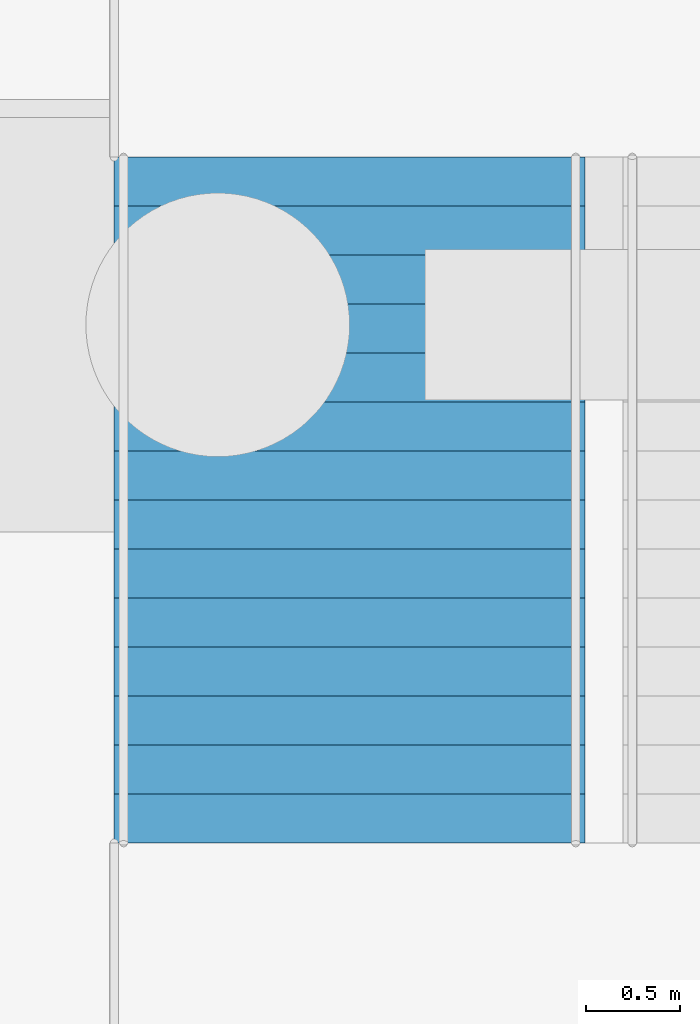
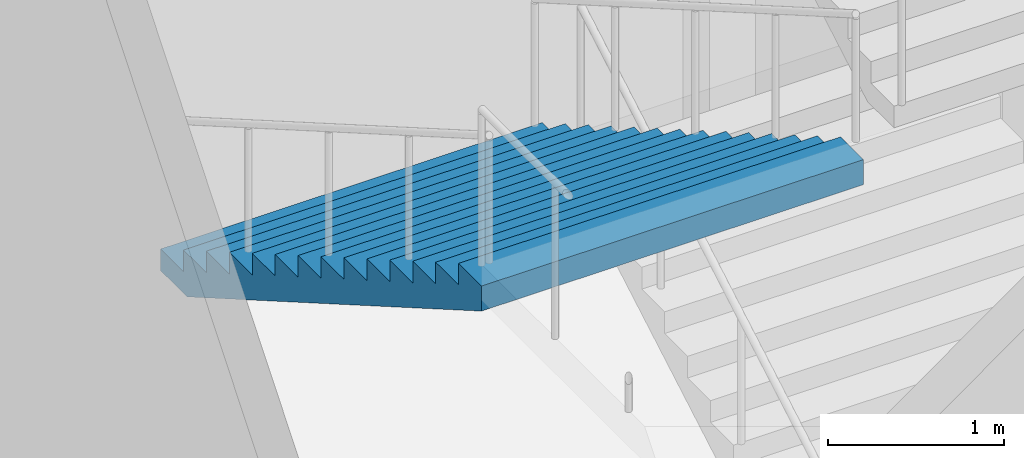
# One storey, part 71 of 113: 1 stair flight, 1 element without a shape of its own.
"""IFC4 building model written with IfcOpenShell, lengths in metres."""

from ifc_helpers import new_model, si_unit, direction, frame, origin, place, context, subcontext, project, spatial, triangles, material, type_object, element, aggregate, save


model = new_model("IFC4")

# Units and contexts
model_context = context("Model", 3, precision=1e-05, world=origin(), true_north=direction((0.0, 1.0)))
body_context = subcontext(model_context, "Body", "Model", "MODEL_VIEW")
ifc_project = project(units=[si_unit("LENGTHUNIT", "METRE"), si_unit("AREAUNIT", "SQUARE_METRE"), si_unit("VOLUMEUNIT", "CUBIC_METRE"), si_unit("PLANEANGLEUNIT", "RADIAN"), si_unit("MASSUNIT", "GRAM", prefix="KILO")], contexts=[model_context])

# Site, building, storey
site_placement = place(None, origin())
site = spatial("IfcSite", under=ifc_project, at=site_placement, CompositionType="ELEMENT")
building_placement = place(site_placement, origin())
building = spatial("IfcBuilding", under=site, at=building_placement, Name="Hakoniwa Tower and Hamabe Station Hall", CompositionType="ELEMENT")
storey_placement = place(building_placement, origin())
storey = spatial("IfcBuildingStorey", under=building, at=storey_placement, Name="L01", CompositionType="ELEMENT", Elevation=0.0)

# Stair, stair flight
ifc_material_1 = material(Name="Concrete C40", Category="concrete")
stair_type = type_object("IfcStairType", Name="STAIR 2500 15X150", PredefinedType="HALF_TURN_STAIR", material=ifc_material_1)
stair_placement = place(storey_placement, origin())
stair = element("IfcStair", 1, at=stair_placement, inside=storey, type_object=stair_type, Name="Escape stair PS3", PredefinedType="HALF_TURN_STAIR")
ifc_material_2 = material(Name="Concrete C40", Category="concrete")
stair_flight_type = type_object("IfcStairFlightType", Name="STAIR FLIGHT 2500", PredefinedType="STRAIGHT", material=ifc_material_2)
stair_flight_placement = place(storey_placement, frame((45.10009765625, -18.7099609375, 2.25), z_axis=(0.0, 0.0, 1.0), x_axis=(0.0, -1.0, 0.0)))
stair_flight = element("IfcStairFlight", 2, at=stair_flight_placement, type_object=stair_flight_type, Name="PS3 flight 2", NumberOfRisers=15, NumberOfTreads=14, PredefinedType="STRAIGHT", RiserHeight=0.15, TreadLength=0.26, context=body_context, shape_type="Tessellation", body=[
    triangles([(0.0, 1.25, 0.0), (0.260009765625, 1.25, 0.0), (0.300048828125, 1.25, 0.0), (0.52001953125, 1.25, 0.126953125), (0.780029296875, 1.25, 0.27685546875), (1.0400390625, 1.25, 0.427001953125), (1.300048828125, 1.25, 0.576904296875), (1.56005859375, 1.25, 0.72705078125), (1.820068359375, 1.25, 0.876953125), (2.080078125, 1.25, 1.02685546875), (2.340087890625, 1.25, 1.177001953125), (2.60009765625, 1.25, 1.326904296875), (2.860107421875, 1.25, 1.47705078125), (3.1201171875, 1.25, 1.626953125), (3.3798828125, 1.25, 1.77685546875), (3.639892578125, 1.25, 1.927001953125), (3.639892578125, 1.25, 2.10009765625), (3.3798828125, 1.25, 2.10009765625), (3.3798828125, 1.25, 1.949951171875), (3.1201171875, 1.25, 1.949951171875), (3.1201171875, 1.25, 1.800048828125), (2.860107421875, 1.25, 1.800048828125), (2.860107421875, 1.25, 1.64990234375), (2.60009765625, 1.25, 1.64990234375), (2.60009765625, 1.25, 1.5), (2.340087890625, 1.25, 1.5), (2.340087890625, 1.25, 1.35009765625), (2.080078125, 1.25, 1.35009765625), (2.080078125, 1.25, 1.199951171875), (1.820068359375, 1.25, 1.199951171875), (1.820068359375, 1.25, 1.050048828125), (1.56005859375, 1.25, 1.050048828125), (1.56005859375, 1.25, 0.89990234375), (1.300048828125, 1.25, 0.89990234375), (1.300048828125, 1.25, 0.75), (1.0400390625, 1.25, 0.75), (1.0400390625, 1.25, 0.60009765625), (0.780029296875, 1.25, 0.60009765625), (0.780029296875, 1.25, 0.449951171875), (0.52001953125, 1.25, 0.449951171875), (0.52001953125, 1.25, 0.300048828125), (0.300048828125, 1.25, 0.300048828125), (0.260009765625, 1.25, 0.300048828125), (0.260009765625, 1.25, 0.14990234375), (0.0, 1.25, 0.14990234375), (0.0, 0.06005859375, 0.0), (0.260009765625, 0.06005859375, 0.0), (0.300048828125, 0.06005859375, 0.0), (0.52001953125, 0.06005859375, 0.126953125), (0.780029296875, 0.06005859375, 0.27685546875), (1.0400390625, 0.06005859375, 0.427001953125), (1.300048828125, 0.06005859375, 0.576904296875), (1.56005859375, 0.06005859375, 0.72705078125), (1.820068359375, 0.06005859375, 0.876953125), (2.080078125, 0.06005859375, 1.02685546875), (2.340087890625, 0.06005859375, 1.177001953125), (2.60009765625, 0.06005859375, 1.326904296875), (2.860107421875, 0.06005859375, 1.47705078125), (3.1201171875, 0.06005859375, 1.626953125), (3.3798828125, 0.06005859375, 1.77685546875), (3.639892578125, 0.06005859375, 1.927001953125), (3.639892578125, 0.06005859375, 2.10009765625), (3.3798828125, 0.06005859375, 2.10009765625), (3.3798828125, 0.06005859375, 1.949951171875), (3.1201171875, 0.06005859375, 1.949951171875), (3.1201171875, 0.06005859375, 1.800048828125), (2.860107421875, 0.06005859375, 1.800048828125), (2.860107421875, 0.06005859375, 1.64990234375), (2.60009765625, 0.06005859375, 1.64990234375), (2.60009765625, 0.06005859375, 1.5), (2.340087890625, 0.06005859375, 1.5), (2.340087890625, 0.06005859375, 1.35009765625), (2.080078125, 0.06005859375, 1.35009765625), (2.080078125, 0.06005859375, 1.199951171875), (1.820068359375, 0.06005859375, 1.199951171875), (1.820068359375, 0.06005859375, 1.050048828125), (1.56005859375, 0.06005859375, 1.050048828125), (1.56005859375, 0.06005859375, 0.89990234375), (1.300048828125, 0.06005859375, 0.89990234375), (1.300048828125, 0.06005859375, 0.75), (1.0400390625, 0.06005859375, 0.75), (1.0400390625, 0.06005859375, 0.60009765625), (0.780029296875, 0.06005859375, 0.60009765625), (0.780029296875, 0.06005859375, 0.449951171875), (0.52001953125, 0.06005859375, 0.449951171875), (0.52001953125, 0.06005859375, 0.300048828125), (0.300048828125, 0.06005859375, 0.300048828125), (0.260009765625, 0.06005859375, 0.300048828125), (0.260009765625, 0.06005859375, 0.14990234375), (0.0, 0.06005859375, 0.14990234375), (0.0, 0.02001953125, 0.0), (0.260009765625, 0.02001953125, 0.0), (0.300048828125, 0.02001953125, 0.0), (0.52001953125, 0.02001953125, 0.126953125), (0.780029296875, 0.02001953125, 0.27685546875), (1.0400390625, 0.02001953125, 0.427001953125), (1.300048828125, 0.02001953125, 0.576904296875), (1.56005859375, 0.02001953125, 0.72705078125), (1.820068359375, 0.02001953125, 0.876953125), (2.080078125, 0.02001953125, 1.02685546875), (2.340087890625, 0.02001953125, 1.177001953125), (2.60009765625, 0.02001953125, 1.326904296875), (2.860107421875, 0.02001953125, 1.47705078125), (3.1201171875, 0.02001953125, 1.626953125), (3.3798828125, 0.02001953125, 1.77685546875), (3.639892578125, 0.02001953125, 1.927001953125), (3.639892578125, 0.02001953125, 2.10009765625), (3.3798828125, 0.02001953125, 2.10009765625), (3.3798828125, 0.02001953125, 1.949951171875), (3.1201171875, 0.02001953125, 1.949951171875), (3.1201171875, 0.02001953125, 1.800048828125), (2.860107421875, 0.02001953125, 1.800048828125), (2.860107421875, 0.02001953125, 1.64990234375), (2.60009765625, 0.02001953125, 1.64990234375), (2.60009765625, 0.02001953125, 1.5), (2.340087890625, 0.02001953125, 1.5), (2.340087890625, 0.02001953125, 1.35009765625), (2.080078125, 0.02001953125, 1.35009765625), (2.080078125, 0.02001953125, 1.199951171875), (1.820068359375, 0.02001953125, 1.199951171875), (1.820068359375, 0.02001953125, 1.050048828125), (1.56005859375, 0.02001953125, 1.050048828125), (1.56005859375, 0.02001953125, 0.89990234375), (1.300048828125, 0.02001953125, 0.89990234375), (1.300048828125, 0.02001953125, 0.75), (1.0400390625, 0.02001953125, 0.75), (1.0400390625, 0.02001953125, 0.60009765625), (0.780029296875, 0.02001953125, 0.60009765625), (0.780029296875, 0.02001953125, 0.449951171875), (0.52001953125, 0.02001953125, 0.449951171875), (0.52001953125, 0.02001953125, 0.300048828125), (0.300048828125, 0.02001953125, 0.300048828125), (0.260009765625, 0.02001953125, 0.300048828125), (0.260009765625, 0.02001953125, 0.14990234375), (0.0, 0.02001953125, 0.14990234375), (0.0, -0.02001953125, 0.0), (0.260009765625, -0.02001953125, 0.0), (0.300048828125, -0.02001953125, 0.0), (0.52001953125, -0.02001953125, 0.126953125), (0.780029296875, -0.02001953125, 0.27685546875), (1.0400390625, -0.02001953125, 0.427001953125), (1.300048828125, -0.02001953125, 0.576904296875), (1.56005859375, -0.02001953125, 0.72705078125), (1.820068359375, -0.02001953125, 0.876953125), (2.080078125, -0.02001953125, 1.02685546875), (2.340087890625, -0.02001953125, 1.177001953125), (2.60009765625, -0.02001953125, 1.326904296875), (2.860107421875, -0.02001953125, 1.47705078125), (3.1201171875, -0.02001953125, 1.626953125), (3.3798828125, -0.02001953125, 1.77685546875), (3.639892578125, -0.02001953125, 1.927001953125), (3.639892578125, -0.02001953125, 2.10009765625), (3.3798828125, -0.02001953125, 2.10009765625), (3.3798828125, -0.02001953125, 1.949951171875), (3.1201171875, -0.02001953125, 1.949951171875), (3.1201171875, -0.02001953125, 1.800048828125), (2.860107421875, -0.02001953125, 1.800048828125), (2.860107421875, -0.02001953125, 1.64990234375), (2.60009765625, -0.02001953125, 1.64990234375), (2.60009765625, -0.02001953125, 1.5), (2.340087890625, -0.02001953125, 1.5), (2.340087890625, -0.02001953125, 1.35009765625), (2.080078125, -0.02001953125, 1.35009765625), (2.080078125, -0.02001953125, 1.199951171875), (1.820068359375, -0.02001953125, 1.199951171875), (1.820068359375, -0.02001953125, 1.050048828125), (1.56005859375, -0.02001953125, 1.050048828125), (1.56005859375, -0.02001953125, 0.89990234375), (1.300048828125, -0.02001953125, 0.89990234375), (1.300048828125, -0.02001953125, 0.75), (1.0400390625, -0.02001953125, 0.75), (1.0400390625, -0.02001953125, 0.60009765625), (0.780029296875, -0.02001953125, 0.60009765625), (0.780029296875, -0.02001953125, 0.449951171875), (0.52001953125, -0.02001953125, 0.449951171875), (0.52001953125, -0.02001953125, 0.300048828125), (0.300048828125, -0.02001953125, 0.300048828125), (0.260009765625, -0.02001953125, 0.300048828125), (0.260009765625, -0.02001953125, 0.14990234375), (0.0, -0.02001953125, 0.14990234375), (0.0, -0.06005859375, 0.0), (0.260009765625, -0.06005859375, 0.0), (0.300048828125, -0.06005859375, 0.0), (0.52001953125, -0.06005859375, 0.126953125), (0.780029296875, -0.06005859375, 0.27685546875), (1.0400390625, -0.06005859375, 0.427001953125), (1.300048828125, -0.06005859375, 0.576904296875), (1.56005859375, -0.06005859375, 0.72705078125), (1.820068359375, -0.06005859375, 0.876953125), (2.080078125, -0.06005859375, 1.02685546875), (2.340087890625, -0.06005859375, 1.177001953125), (2.60009765625, -0.06005859375, 1.326904296875), (2.860107421875, -0.06005859375, 1.47705078125), (3.1201171875, -0.06005859375, 1.626953125), (3.3798828125, -0.06005859375, 1.77685546875), (3.639892578125, -0.06005859375, 1.927001953125), (3.639892578125, -0.06005859375, 2.10009765625), (3.3798828125, -0.06005859375, 2.10009765625), (3.3798828125, -0.06005859375, 1.949951171875), (3.1201171875, -0.06005859375, 1.949951171875), (3.1201171875, -0.06005859375, 1.800048828125), (2.860107421875, -0.06005859375, 1.800048828125), (2.860107421875, -0.06005859375, 1.64990234375), (2.60009765625, -0.06005859375, 1.64990234375), (2.60009765625, -0.06005859375, 1.5), (2.340087890625, -0.06005859375, 1.5), (2.340087890625, -0.06005859375, 1.35009765625), (2.080078125, -0.06005859375, 1.35009765625), (2.080078125, -0.06005859375, 1.199951171875), (1.820068359375, -0.06005859375, 1.199951171875), (1.820068359375, -0.06005859375, 1.050048828125), (1.56005859375, -0.06005859375, 1.050048828125), (1.56005859375, -0.06005859375, 0.89990234375), (1.300048828125, -0.06005859375, 0.89990234375), (1.300048828125, -0.06005859375, 0.75), (1.0400390625, -0.06005859375, 0.75), (1.0400390625, -0.06005859375, 0.60009765625), (0.780029296875, -0.06005859375, 0.60009765625), (0.780029296875, -0.06005859375, 0.449951171875), (0.52001953125, -0.06005859375, 0.449951171875), (0.52001953125, -0.06005859375, 0.300048828125), (0.300048828125, -0.06005859375, 0.300048828125), (0.260009765625, -0.06005859375, 0.300048828125), (0.260009765625, -0.06005859375, 0.14990234375), (0.0, -0.06005859375, 0.14990234375), (0.0, -1.25, 0.0), (0.260009765625, -1.25, 0.0), (0.300048828125, -1.25, 0.0), (0.52001953125, -1.25, 0.126953125), (0.780029296875, -1.25, 0.27685546875), (1.0400390625, -1.25, 0.427001953125), (1.300048828125, -1.25, 0.576904296875), (1.56005859375, -1.25, 0.72705078125), (1.820068359375, -1.25, 0.876953125), (2.080078125, -1.25, 1.02685546875), (2.340087890625, -1.25, 1.177001953125), (2.60009765625, -1.25, 1.326904296875), (2.860107421875, -1.25, 1.47705078125), (3.1201171875, -1.25, 1.626953125), (3.3798828125, -1.25, 1.77685546875), (3.639892578125, -1.25, 1.927001953125), (3.639892578125, -1.25, 2.10009765625), (3.3798828125, -1.25, 2.10009765625), (3.3798828125, -1.25, 1.949951171875), (3.1201171875, -1.25, 1.949951171875), (3.1201171875, -1.25, 1.800048828125), (2.860107421875, -1.25, 1.800048828125), (2.860107421875, -1.25, 1.64990234375), (2.60009765625, -1.25, 1.64990234375), (2.60009765625, -1.25, 1.5), (2.340087890625, -1.25, 1.5), (2.340087890625, -1.25, 1.35009765625), (2.080078125, -1.25, 1.35009765625), (2.080078125, -1.25, 1.199951171875), (1.820068359375, -1.25, 1.199951171875), (1.820068359375, -1.25, 1.050048828125), (1.56005859375, -1.25, 1.050048828125), (1.56005859375, -1.25, 0.89990234375), (1.300048828125, -1.25, 0.89990234375), (1.300048828125, -1.25, 0.75), (1.0400390625, -1.25, 0.75), (1.0400390625, -1.25, 0.60009765625), (0.780029296875, -1.25, 0.60009765625), (0.780029296875, -1.25, 0.449951171875), (0.52001953125, -1.25, 0.449951171875), (0.52001953125, -1.25, 0.300048828125), (0.300048828125, -1.25, 0.300048828125), (0.260009765625, -1.25, 0.300048828125), (0.260009765625, -1.25, 0.14990234375), (0.0, -1.25, 0.14990234375)], [[2, 45, 44], [227, 269, 270], [2, 1, 45], [227, 270, 226], [3, 43, 42], [228, 267, 268], [3, 44, 43], [228, 268, 269], [3, 2, 44], [228, 269, 227], [4, 42, 41], [229, 266, 267], [4, 3, 42], [229, 267, 228], [5, 40, 39], [230, 264, 265], [5, 41, 40], [230, 265, 266], [5, 4, 41], [230, 266, 229], [6, 38, 37], [231, 262, 263], [6, 39, 38], [231, 263, 264], [6, 5, 39], [231, 264, 230], [7, 36, 35], [232, 260, 261], [7, 37, 36], [232, 261, 262], [7, 6, 37], [232, 262, 231], [8, 34, 33], [233, 258, 259], [8, 35, 34], [233, 259, 260], [8, 7, 35], [233, 260, 232], [9, 32, 31], [234, 256, 257], [9, 33, 32], [234, 257, 258], [9, 8, 33], [234, 258, 233], [10, 30, 29], [235, 254, 255], [10, 31, 30], [235, 255, 256], [10, 9, 31], [235, 256, 234], [11, 28, 27], [236, 252, 253], [11, 29, 28], [236, 253, 254], [11, 10, 29], [236, 254, 235], [12, 26, 25], [237, 250, 251], [12, 27, 26], [237, 251, 252], [12, 11, 27], [237, 252, 236], [13, 24, 23], [238, 248, 249], [13, 25, 24], [238, 249, 250], [13, 12, 25], [238, 250, 237], [14, 22, 21], [239, 246, 247], [14, 23, 22], [239, 247, 248], [14, 13, 23], [239, 248, 238], [15, 20, 19], [240, 244, 245], [15, 21, 20], [240, 245, 246], [15, 14, 21], [240, 246, 239], [16, 18, 17], [241, 242, 243], [16, 19, 18], [241, 243, 244], [16, 15, 19], [241, 244, 240], [1, 2, 47], [1, 47, 46], [46, 47, 92], [46, 92, 91], [91, 92, 137], [91, 137, 136], [136, 137, 182], [136, 182, 181], [181, 182, 227], [181, 227, 226], [2, 3, 48], [2, 48, 47], [47, 48, 93], [47, 93, 92], [92, 93, 138], [92, 138, 137], [137, 138, 183], [137, 183, 182], [182, 183, 228], [182, 228, 227], [3, 4, 49], [3, 49, 48], [48, 49, 94], [48, 94, 93], [93, 94, 139], [93, 139, 138], [138, 139, 184], [138, 184, 183], [183, 184, 229], [183, 229, 228], [4, 5, 50], [4, 50, 49], [49, 50, 95], [49, 95, 94], [94, 95, 140], [94, 140, 139], [139, 140, 185], [139, 185, 184], [184, 185, 230], [184, 230, 229], [5, 6, 51], [5, 51, 50], [50, 51, 96], [50, 96, 95], [95, 96, 141], [95, 141, 140], [140, 141, 186], [140, 186, 185], [185, 186, 231], [185, 231, 230], [6, 7, 52], [6, 52, 51], [51, 52, 97], [51, 97, 96], [96, 97, 142], [96, 142, 141], [141, 142, 187], [141, 187, 186], [186, 187, 232], [186, 232, 231], [7, 8, 53], [7, 53, 52], [52, 53, 98], [52, 98, 97], [97, 98, 143], [97, 143, 142], [142, 143, 188], [142, 188, 187], [187, 188, 233], [187, 233, 232], [8, 9, 54], [8, 54, 53], [53, 54, 99], [53, 99, 98], [98, 99, 144], [98, 144, 143], [143, 144, 189], [143, 189, 188], [188, 189, 234], [188, 234, 233], [9, 10, 55], [9, 55, 54], [54, 55, 100], [54, 100, 99], [99, 100, 145], [99, 145, 144], [144, 145, 190], [144, 190, 189], [189, 190, 235], [189, 235, 234], [10, 11, 56], [10, 56, 55], [55, 56, 101], [55, 101, 100], [100, 101, 146], [100, 146, 145], [145, 146, 191], [145, 191, 190], [190, 191, 236], [190, 236, 235], [11, 12, 57], [11, 57, 56], [56, 57, 102], [56, 102, 101], [101, 102, 147], [101, 147, 146], [146, 147, 192], [146, 192, 191], [191, 192, 237], [191, 237, 236], [12, 13, 58], [12, 58, 57], [57, 58, 103], [57, 103, 102], [102, 103, 148], [102, 148, 147], [147, 148, 193], [147, 193, 192], [192, 193, 238], [192, 238, 237], [13, 14, 59], [13, 59, 58], [58, 59, 104], [58, 104, 103], [103, 104, 149], [103, 149, 148], [148, 149, 194], [148, 194, 193], [193, 194, 239], [193, 239, 238], [14, 15, 60], [14, 60, 59], [59, 60, 105], [59, 105, 104], [104, 105, 150], [104, 150, 149], [149, 150, 195], [149, 195, 194], [194, 195, 240], [194, 240, 239], [15, 16, 61], [15, 61, 60], [60, 61, 106], [60, 106, 105], [105, 106, 151], [105, 151, 150], [150, 151, 196], [150, 196, 195], [195, 196, 241], [195, 241, 240], [16, 17, 62], [16, 62, 61], [61, 62, 107], [61, 107, 106], [106, 107, 152], [106, 152, 151], [151, 152, 197], [151, 197, 196], [196, 197, 242], [196, 242, 241], [17, 18, 63], [17, 63, 62], [62, 63, 108], [62, 108, 107], [107, 108, 153], [107, 153, 152], [152, 153, 198], [152, 198, 197], [197, 198, 243], [197, 243, 242], [18, 19, 64], [18, 64, 63], [63, 64, 109], [63, 109, 108], [108, 109, 154], [108, 154, 153], [153, 154, 199], [153, 199, 198], [198, 199, 244], [198, 244, 243], [19, 20, 65], [19, 65, 64], [64, 65, 110], [64, 110, 109], [109, 110, 155], [109, 155, 154], [154, 155, 200], [154, 200, 199], [199, 200, 245], [199, 245, 244], [20, 21, 66], [20, 66, 65], [65, 66, 111], [65, 111, 110], [110, 111, 156], [110, 156, 155], [155, 156, 201], [155, 201, 200], [200, 201, 246], [200, 246, 245], [21, 22, 67], [21, 67, 66], [66, 67, 112], [66, 112, 111], [111, 112, 157], [111, 157, 156], [156, 157, 202], [156, 202, 201], [201, 202, 247], [201, 247, 246], [22, 23, 68], [22, 68, 67], [67, 68, 113], [67, 113, 112], [112, 113, 158], [112, 158, 157], [157, 158, 203], [157, 203, 202], [202, 203, 248], [202, 248, 247], [23, 24, 69], [23, 69, 68], [68, 69, 114], [68, 114, 113], [113, 114, 159], [113, 159, 158], [158, 159, 204], [158, 204, 203], [203, 204, 249], [203, 249, 248], [24, 25, 70], [24, 70, 69], [69, 70, 115], [69, 115, 114], [114, 115, 160], [114, 160, 159], [159, 160, 205], [159, 205, 204], [204, 205, 250], [204, 250, 249], [25, 26, 71], [25, 71, 70], [70, 71, 116], [70, 116, 115], [115, 116, 161], [115, 161, 160], [160, 161, 206], [160, 206, 205], [205, 206, 251], [205, 251, 250], [26, 27, 72], [26, 72, 71], [71, 72, 117], [71, 117, 116], [116, 117, 162], [116, 162, 161], [161, 162, 207], [161, 207, 206], [206, 207, 252], [206, 252, 251], [27, 28, 73], [27, 73, 72], [72, 73, 118], [72, 118, 117], [117, 118, 163], [117, 163, 162], [162, 163, 208], [162, 208, 207], [207, 208, 253], [207, 253, 252], [28, 29, 74], [28, 74, 73], [73, 74, 119], [73, 119, 118], [118, 119, 164], [118, 164, 163], [163, 164, 209], [163, 209, 208], [208, 209, 254], [208, 254, 253], [29, 30, 75], [29, 75, 74], [74, 75, 120], [74, 120, 119], [119, 120, 165], [119, 165, 164], [164, 165, 210], [164, 210, 209], [209, 210, 255], [209, 255, 254], [30, 31, 76], [30, 76, 75], [75, 76, 121], [75, 121, 120], [120, 121, 166], [120, 166, 165], [165, 166, 211], [165, 211, 210], [210, 211, 256], [210, 256, 255], [31, 32, 77], [31, 77, 76], [76, 77, 122], [76, 122, 121], [121, 122, 167], [121, 167, 166], [166, 167, 212], [166, 212, 211], [211, 212, 257], [211, 257, 256], [32, 33, 78], [32, 78, 77], [77, 78, 123], [77, 123, 122], [122, 123, 168], [122, 168, 167], [167, 168, 213], [167, 213, 212], [212, 213, 258], [212, 258, 257], [33, 34, 79], [33, 79, 78], [78, 79, 124], [78, 124, 123], [123, 124, 169], [123, 169, 168], [168, 169, 214], [168, 214, 213], [213, 214, 259], [213, 259, 258], [34, 35, 80], [34, 80, 79], [79, 80, 125], [79, 125, 124], [124, 125, 170], [124, 170, 169], [169, 170, 215], [169, 215, 214], [214, 215, 260], [214, 260, 259], [35, 36, 81], [35, 81, 80], [80, 81, 126], [80, 126, 125], [125, 126, 171], [125, 171, 170], [170, 171, 216], [170, 216, 215], [215, 216, 261], [215, 261, 260], [36, 37, 82], [36, 82, 81], [81, 82, 127], [81, 127, 126], [126, 127, 172], [126, 172, 171], [171, 172, 217], [171, 217, 216], [216, 217, 262], [216, 262, 261], [37, 38, 83], [37, 83, 82], [82, 83, 128], [82, 128, 127], [127, 128, 173], [127, 173, 172], [172, 173, 218], [172, 218, 217], [217, 218, 263], [217, 263, 262], [38, 39, 84], [38, 84, 83], [83, 84, 129], [83, 129, 128], [128, 129, 174], [128, 174, 173], [173, 174, 219], [173, 219, 218], [218, 219, 264], [218, 264, 263], [39, 40, 85], [39, 85, 84], [84, 85, 130], [84, 130, 129], [129, 130, 175], [129, 175, 174], [174, 175, 220], [174, 220, 219], [219, 220, 265], [219, 265, 264], [40, 41, 86], [40, 86, 85], [85, 86, 131], [85, 131, 130], [130, 131, 176], [130, 176, 175], [175, 176, 221], [175, 221, 220], [220, 221, 266], [220, 266, 265], [41, 42, 87], [41, 87, 86], [86, 87, 132], [86, 132, 131], [131, 132, 177], [131, 177, 176], [176, 177, 222], [176, 222, 221], [221, 222, 267], [221, 267, 266], [42, 43, 88], [42, 88, 87], [87, 88, 133], [87, 133, 132], [132, 133, 178], [132, 178, 177], [177, 178, 223], [177, 223, 222], [222, 223, 268], [222, 268, 267], [43, 44, 89], [43, 89, 88], [88, 89, 134], [88, 134, 133], [133, 134, 179], [133, 179, 178], [178, 179, 224], [178, 224, 223], [223, 224, 269], [223, 269, 268], [44, 45, 90], [44, 90, 89], [89, 90, 135], [89, 135, 134], [134, 135, 180], [134, 180, 179], [179, 180, 225], [179, 225, 224], [224, 225, 270], [224, 270, 269], [45, 1, 46], [45, 46, 90], [90, 46, 91], [90, 91, 135], [135, 91, 136], [135, 136, 180], [180, 136, 181], [180, 181, 225], [225, 181, 226], [225, 226, 270]], closed=True),
])
aggregate(stair, [stair_flight])

save(model, "model.ifc")
